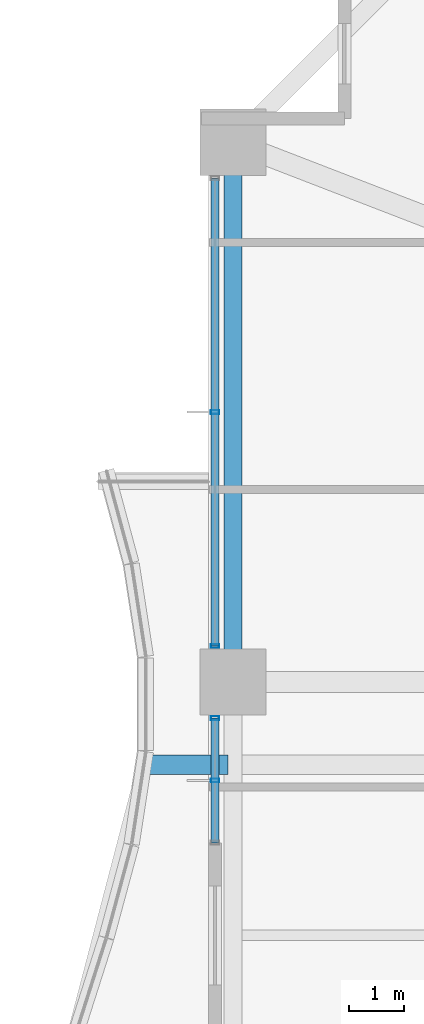
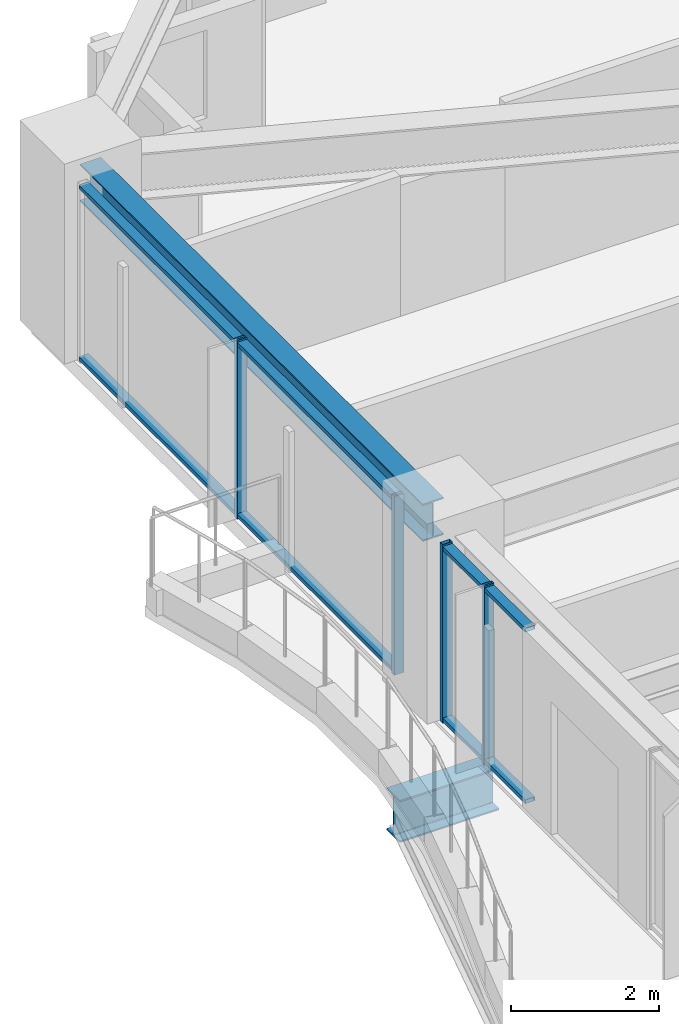
# One storey, part 9 of 38: 8 members, 2 beams, 2 elements without a shape of their own.
"""IFC4 building model written with IfcOpenShell, lengths in metres."""

from ifc_helpers import new_model, si_unit, direction, frame, origin, origin_2d, place, context, subcontext, project, spatial, hollow_rectangle, i_section, extrude, material, material_profile, profile_set, type_object, element, aggregate, save


model = new_model("IFC4")

# Units and contexts
model_context = context("Model", 3, precision=1e-05, world=origin(), true_north=direction((0.0, 1.0)))
body_context = subcontext(model_context, "Body", "Model", "MODEL_VIEW")
ifc_project = project(units=[si_unit("LENGTHUNIT", "METRE"), si_unit("AREAUNIT", "SQUARE_METRE"), si_unit("VOLUMEUNIT", "CUBIC_METRE"), si_unit("PLANEANGLEUNIT", "RADIAN"), si_unit("MASSUNIT", "GRAM", prefix="KILO")], contexts=[model_context])

# Site, building, storey
site_placement = place(None, origin())
site = spatial("IfcSite", under=ifc_project, at=site_placement, CompositionType="ELEMENT")
building_placement = place(site_placement, origin())
building = spatial("IfcBuilding", under=site, at=building_placement, Name="Kolvaren Belvedere", CompositionType="ELEMENT")
storey_placement = place(building_placement, frame((0.0, 0.0, 60.10009765625)))
storey = spatial("IfcBuildingStorey", under=building, at=storey_placement, Name="L17", CompositionType="ELEMENT", Elevation=60.10009765625)

# Beams
ifc_material_1 = material(Name="Structural steel ASTM A992 Grade 50", Category="steel")
ifc_material_profile_1 = material_profile(ifc_material_1, i_section(OverallWidth=0.35498046875, OverallDepth=0.696044921875, WebThickness=0.015380859375, FlangeThickness=0.02490234375, FilletRadius=0.02197265625, at=origin_2d()), Name="W27X146")
ifc_profile_set_1 = profile_set([ifc_material_profile_1], Name="Structural steel ASTM A992 Grade 50")
beam_type_1 = type_object("IfcBeamType", Name="BM-CANT-BAL", PredefinedType="BEAM", material=ifc_profile_set_1)
beam_1_placement = place(storey_placement, frame((-21.64501953125, 3.10009765625, -0.588134765625), z_axis=(-1.0, 0.0, 0.0), x_axis=(0.0, -1.0, 0.0)))
element("IfcBeam", 1, at=beam_1_placement, inside=storey, type_object=beam_type_1, Name="L17 Planted Balcony Cantilever BAL-W-2", PredefinedType="BEAM", context=body_context, shape_type="SweptSolid", body=[
    extrude(i_section(OverallWidth=0.35498046875, OverallDepth=0.696044921875, WebThickness=0.015380859375, FlangeThickness=0.02490234375, FilletRadius=0.02197265625, at=origin_2d()), origin(), (0.0, 0.0, 1.0), 1.549072265625),
])
ifc_material_2 = material(Name="Structural steel ASTM A992 Grade 50", Category="steel")
ifc_material_profile_2 = material_profile(ifc_material_2, i_section(OverallWidth=0.324951171875, OverallDepth=0.615966796875, WebThickness=0.013916015625, FlangeThickness=0.021484375, FilletRadius=0.02001953125, at=origin_2d()), Name="W24X117")
ifc_profile_set_2 = profile_set([ifc_material_profile_2], Name="Structural steel ASTM A992 Grade 50")
beam_type_2 = type_object("IfcBeamType", Name="BM-SPAN-W24X117", PredefinedType="SPANDREL", material=ifc_profile_set_2)
beam_2_placement = place(storey_placement, frame((-21.550048828125, 14.1298828125, 2.641845703125), z_axis=(0.0, -1.0, 0.0), x_axis=(1.0, 0.0, 0.0)))
element("IfcBeam", 2, at=beam_2_placement, inside=storey, type_object=beam_type_2, Name="L17 Perimeter Spandrel W4-W3", PredefinedType="SPANDREL", context=body_context, shape_type="SweptSolid", body=[
    extrude(i_section(OverallWidth=0.324951171875, OverallDepth=0.615966796875, WebThickness=0.013916015625, FlangeThickness=0.021484375, FilletRadius=0.02001953125, at=origin_2d()), origin(), (0.0, 0.0, 1.0), 9.259765625),
])

# Curtain wall, members
ifc_material_3 = material(Name="Anodised pale-metal aluminium AA 6063-T6", Category="aluminium")
curtain_wall_type = type_object("IfcCurtainWallType", Name="CW-Z1-LOW", PredefinedType="NOTDEFINED", material=ifc_material_3)
curtain_wall_1_placement = place(storey_placement, origin())
curtain_wall_1 = element("IfcCurtainWall", 3, at=curtain_wall_1_placement, inside=storey, type_object=curtain_wall_type, Name="L17 Unitised Curtain Wall FCW-L17-W2-B1", PredefinedType="NOTDEFINED")
ifc_material_4 = material(Name="Anodised pale-metal aluminium AA 6063-T6", Category="aluminium")
ifc_material_profile_3 = material_profile(ifc_material_4, hollow_rectangle(XDim=0.070068359375, YDim=0.14990234375, WallThickness=0.004150390625, at=origin_2d()), Name="ALU-MUL-150X70")
ifc_profile_set_3 = profile_set([ifc_material_profile_3], Name="Anodised pale-metal aluminium AA 6063-T6")
member_type_1 = type_object("IfcMemberType", Name="CW-MUL-150", PredefinedType="MULLION", material=ifc_profile_set_3)
member_1_placement = place(storey_placement, frame((-21.8798828125, 2.8125, 0.0), z_axis=(0.0, 0.0, 1.0), x_axis=(0.0, 1.0, 0.0)))
member_1 = element("IfcMember", 4, at=member_1_placement, type_object=member_type_1, Name="FCW-L17-W2-B1 Unitised Mullion 2", PredefinedType="MULLION", context=body_context, shape_type="SweptSolid", body=[
    extrude(hollow_rectangle(XDim=0.070068359375, YDim=0.14990234375, WallThickness=0.004150390625, at=origin_2d()), origin(), (0.0, 0.0, 1.0), 2.949951171875),
])
member_2_placement = place(storey_placement, frame((-21.8798828125, 3.945068359375, 0.0), z_axis=(0.0, 0.0, 1.0), x_axis=(0.0, 1.0, 0.0)))
member_2 = element("IfcMember", 5, at=member_2_placement, type_object=member_type_1, Name="FCW-L17-W2-B1 Unitised Mullion 3", PredefinedType="MULLION", context=body_context, shape_type="SweptSolid", body=[
    extrude(hollow_rectangle(XDim=0.070068359375, YDim=0.14990234375, WallThickness=0.004150390625, at=origin_2d()), origin(), (0.0, 0.0, 1.0), 2.949951171875),
])

curtain_wall_2_placement = place(storey_placement, origin())
curtain_wall_2 = element("IfcCurtainWall", 6, at=curtain_wall_2_placement, inside=storey, type_object=curtain_wall_type, Name="L17 Unitised Curtain Wall FCW-L17-W2-B2", PredefinedType="NOTDEFINED")
member_3_placement = place(storey_placement, frame((-21.8798828125, 5.2548828125, 0.0), z_axis=(0.0, 0.0, 1.0), x_axis=(0.0, 1.0, 0.0)))
member_3 = element("IfcMember", 7, at=member_3_placement, type_object=member_type_1, Name="FCW-L17-W2-B2 Unitised Mullion 1", PredefinedType="MULLION", context=body_context, shape_type="SweptSolid", body=[
    extrude(hollow_rectangle(XDim=0.070068359375, YDim=0.14990234375, WallThickness=0.004150390625, at=origin_2d()), origin(), (0.0, 0.0, 1.0), 2.949951171875),
])
member_4_placement = place(storey_placement, frame((-21.8798828125, 9.5, 0.0), z_axis=(0.0, 0.0, 1.0), x_axis=(0.0, 1.0, 0.0)))
member_4 = element("IfcMember", 8, at=member_4_placement, type_object=member_type_1, Name="FCW-L17-W2-B2 Unitised Mullion 2", PredefinedType="MULLION", context=body_context, shape_type="SweptSolid", body=[
    extrude(hollow_rectangle(XDim=0.070068359375, YDim=0.14990234375, WallThickness=0.004150390625, at=origin_2d()), origin(), (0.0, 0.0, 1.0), 2.949951171875),
])

# Member
ifc_material_5 = material(Name="Anodised pale-metal aluminium AA 6063-T6", Category="aluminium")
ifc_material_profile_4 = material_profile(ifc_material_5, hollow_rectangle(XDim=0.06494140625, YDim=0.14990234375, WallThickness=0.00390625, at=origin_2d()), Name="ALU-TRN-150X65")
ifc_profile_set_4 = profile_set([ifc_material_profile_4], Name="Anodised pale-metal aluminium AA 6063-T6")
member_type_2 = type_object("IfcMemberType", Name="CW-TRN-150", PredefinedType="USERDEFINED", material=ifc_profile_set_4)
member_5_placement = place(storey_placement, frame((-21.8798828125, 1.679931640625, 0.059814453125), z_axis=(0.0, 1.0, 0.0), x_axis=(0.0, 0.0, 1.0)))
member_5 = element("IfcMember", 9, at=member_5_placement, type_object=member_type_2, Name="FCW-L17-W2-B1 Sill Transom", ObjectType="TRANSOM", PredefinedType="USERDEFINED", context=body_context, shape_type="SweptSolid", body=[
    extrude(hollow_rectangle(XDim=0.06494140625, YDim=0.14990234375, WallThickness=0.00390625, at=origin_2d()), origin(), (0.0, 0.0, 1.0), 2.26513671875),
])

member_6_placement = place(storey_placement, frame((-21.8798828125, 1.679931640625, 2.889892578125), z_axis=(0.0, 1.0, 0.0), x_axis=(0.0, 0.0, 1.0)))
member_6 = element("IfcMember", 10, at=member_6_placement, type_object=member_type_2, Name="FCW-L17-W2-B1 Head Transom", ObjectType="TRANSOM", PredefinedType="USERDEFINED", context=body_context, shape_type="SweptSolid", body=[
    extrude(hollow_rectangle(XDim=0.06494140625, YDim=0.14990234375, WallThickness=0.00390625, at=origin_2d()), origin(), (0.0, 0.0, 1.0), 2.26513671875),
])

aggregate(curtain_wall_1, [member_1, member_2, member_5, member_6])

member_7_placement = place(storey_placement, frame((-21.8798828125, 5.2548828125, 0.059814453125), z_axis=(0.0, 1.0, 0.0), x_axis=(0.0, 0.0, 1.0)))
member_7 = element("IfcMember", 11, at=member_7_placement, type_object=member_type_2, Name="FCW-L17-W2-B2 Sill Transom", ObjectType="TRANSOM", PredefinedType="USERDEFINED", context=body_context, shape_type="SweptSolid", body=[
    extrude(hollow_rectangle(XDim=0.06494140625, YDim=0.14990234375, WallThickness=0.00390625, at=origin_2d()), origin(), (0.0, 0.0, 1.0), 8.490234375),
])

member_8_placement = place(storey_placement, frame((-21.8798828125, 5.2548828125, 2.889892578125), z_axis=(0.0, 1.0, 0.0), x_axis=(0.0, 0.0, 1.0)))
member_8 = element("IfcMember", 12, at=member_8_placement, type_object=member_type_2, Name="FCW-L17-W2-B2 Head Transom", ObjectType="TRANSOM", PredefinedType="USERDEFINED", context=body_context, shape_type="SweptSolid", body=[
    extrude(hollow_rectangle(XDim=0.06494140625, YDim=0.14990234375, WallThickness=0.00390625, at=origin_2d()), origin(), (0.0, 0.0, 1.0), 8.490234375),
])

aggregate(curtain_wall_2, [member_3, member_4, member_7, member_8])

save(model, "model.ifc")
